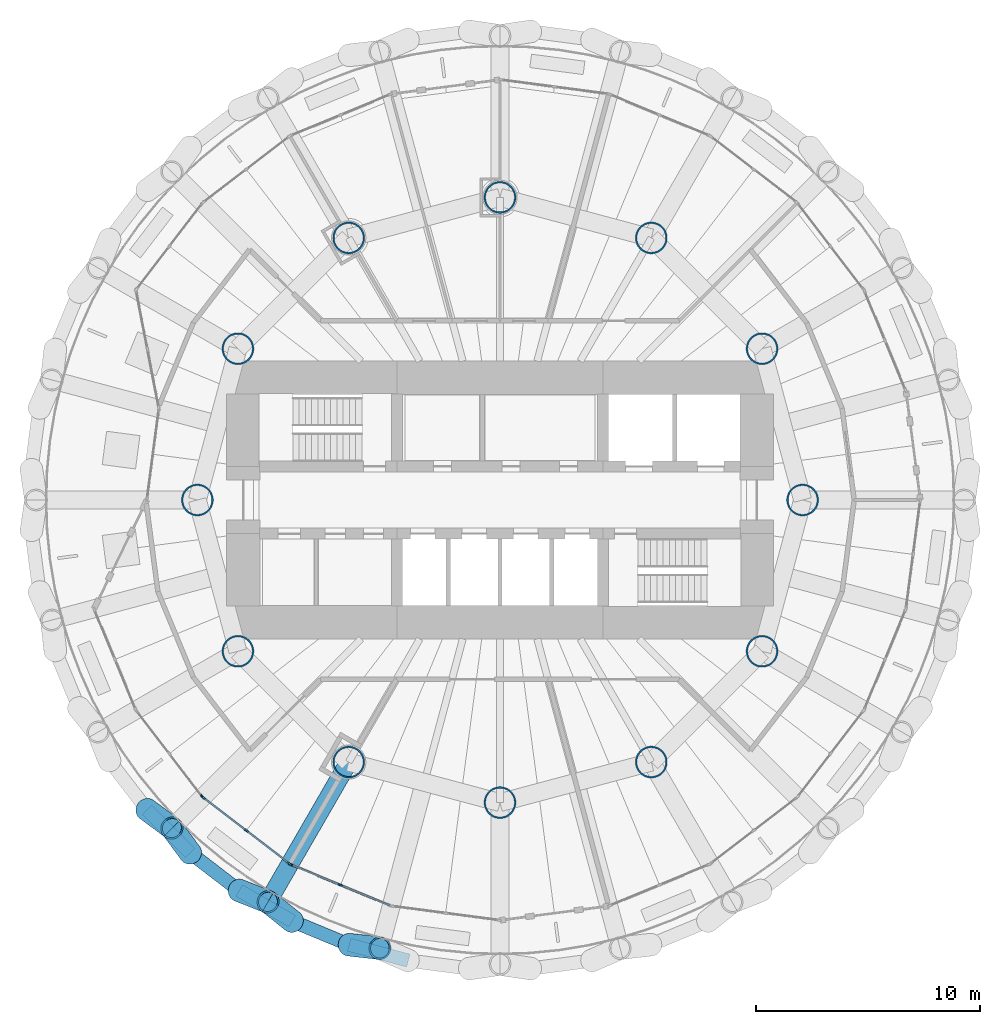
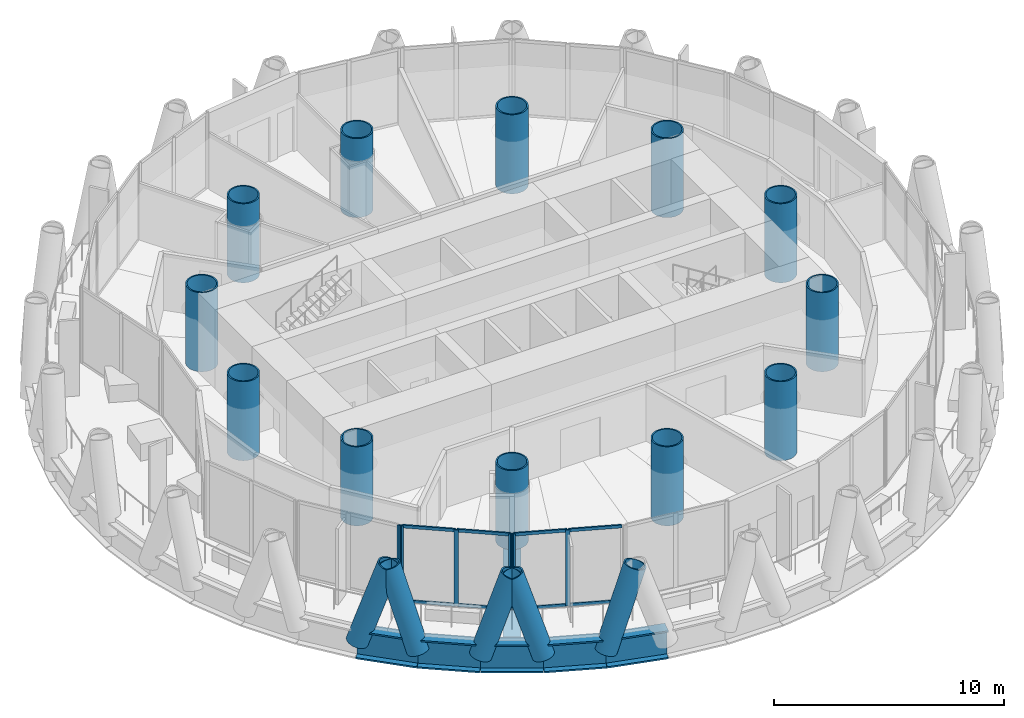
# One storey, part 1 of 15: 19 members, 12 columns, 6 beams, 3 elements without a shape of their own.
"""IFC4 building model written with IfcOpenShell, lengths in metres."""

from ifc_helpers import new_model, si_unit, direction, frame, origin, origin_2d, place, context, subcontext, project, spatial, rectangle, hollow_circle, i_section, extrude, material, material_profile, profile_set, type_object, element, aggregate, save


model = new_model("IFC4")

# Units and contexts
model_context = context("Model", 3, precision=1e-05, world=origin(), true_north=direction((0.0, 1.0)))
body_context = subcontext(model_context, "Body", "Model", "MODEL_VIEW")
ifc_project = project(units=[si_unit("LENGTHUNIT", "METRE"), si_unit("AREAUNIT", "SQUARE_METRE"), si_unit("VOLUMEUNIT", "CUBIC_METRE"), si_unit("PLANEANGLEUNIT", "RADIAN"), si_unit("MASSUNIT", "GRAM", prefix="KILO")], contexts=[model_context])

# Site, building, storey
site_placement = place(None, origin())
site = spatial("IfcSite", under=ifc_project, at=site_placement, CompositionType="ELEMENT")
building_placement = place(site_placement, origin())
building = spatial("IfcBuilding", under=site, at=building_placement, Name="Qaws Media Tower", CompositionType="ELEMENT")
storey_placement = place(building_placement, frame((0.0, 0.0, 273.800048828125)))
storey = spatial("IfcBuildingStorey", under=building, at=storey_placement, Name="L63", CompositionType="ELEMENT", Elevation=273.800048828125)

# Columns
ifc_material_1 = material(Name="Steel S460", Category="steel")
ifc_material_profile_1 = material_profile(ifc_material_1, hollow_circle(Radius=0.7109375, WallThickness=0.070068359375, at=origin_2d()), Name="CHS 1422x70")
ifc_profile_set_1 = profile_set([ifc_material_profile_1], Name="Steel S460")
column_type = type_object("IfcColumnType", Name="Inner column CHS 1422x70", PredefinedType="COLUMN", material=ifc_profile_set_1)
for number, where, z_axis, x_axis, name in (
    (1, (73.5, 50.0, 0.0), (0.0, 0.0, 1.0), (1.0, 0.0, 0.0), "C5 inner column I01 L63"),
    (2, (71.69140625, 56.75, 0.0), (0.0, 0.0, 1.0), (1.0, 0.0, 0.0), "C5 inner column I02 L63"),
    (3, (66.75, 61.69140625, 0.0), (0.0, 0.0, 1.0), (1.0, 0.0, 0.0), "C5 inner column I03 L63"),
    (4, (60.0, 63.5, 0.0), (0.0, 0.0, 1.0), (1.0, 0.0, 0.0), "C5 inner column I04 L63"),
    (5, (53.25, 61.69140625, 0.0), (0.0, 0.0, 1.0), (1.0, 0.0, 0.0), "C5 inner column I05 L63"),
    (6, (48.30859375, 56.75, 0.0), (0.0, 0.0, 1.0), (1.0, 0.0, 0.0), "C5 inner column I06 L63"),
    (7, (46.5, 50.0, 0.0), (0.0, 0.0, 1.0), (1.0, 0.0, 0.0), "C5 inner column I07 L63"),
    (8, (48.30859375, 43.25, 0.0), (0.0, 0.0, 1.0), (1.0, 0.0, 0.0), "C5 inner column I08 L63"),
    (9, (53.25, 38.30859375, 0.0), (0.0, 0.0, 1.0), (1.0, 0.0, 0.0), "C5 inner column I09 L63"),
    (10, (60.0, 36.5, 0.0), (0.0, 0.0, 1.0), (1.0, 0.0, 0.0), "C5 inner column I10 L63"),
    (11, (66.75, 38.30859375, 0.0), (0.0, 0.0, 1.0), (1.0, 0.0, 0.0), "C5 inner column I11 L63"),
    (12, (71.69140625, 43.25, 0.0), (0.0, 0.0, 1.0), (1.0, 0.0, 0.0), "C5 inner column I12 L63"),
):
    element("IfcColumn", number, at=place(storey_placement, frame(where, z_axis=z_axis, x_axis=x_axis)), inside=storey, type_object=column_type, Name=name, PredefinedType="COLUMN", context=body_context, shape_type="SweptSolid", body=[
        extrude(hollow_circle(Radius=0.7109375, WallThickness=0.070068359375, at=origin_2d()), origin(), (0.0, 0.0, 1.0), 4.199951171875),
    ])

# Curtain wall, member
ifc_material_2 = material(Name="Aluminium and clear glass", Category="aluminium")
curtain_wall_type = type_object("IfcCurtainWallType", Name="Unitised curtain wall CW-D", PredefinedType="NOTDEFINED", material=ifc_material_2)
curtain_wall_1_placement = place(storey_placement, origin())
curtain_wall_1 = element("IfcCurtainWall", 13, at=curtain_wall_1_placement, inside=storey, type_object=curtain_wall_type, Name="CWD curtain wall L63-15", PredefinedType="NOTDEFINED")
ifc_material_3 = material(Name="Aluminium mullion", Category="aluminium")
ifc_material_profile_2 = material_profile(ifc_material_3, rectangle(XDim=0.080078125, YDim=0.199951171875, at=origin_2d()), Name="80x200")
ifc_profile_set_2 = profile_set([ifc_material_profile_2], Name="Aluminium mullion")
member_type_1 = type_object("IfcMemberType", Name="Curtain wall mullion 80x200", PredefinedType="MULLION", material=ifc_profile_set_2)
member_1_placement = place(storey_placement, frame((46.71728515625, 36.7734375, 0.0), z_axis=(0.0, 0.0, 1.0), x_axis=(0.793353346284, 0.608761421199, 0.0)))
member_1 = element("IfcMember", 14, at=member_1_placement, type_object=member_type_1, Name="CWD mullion 3", PredefinedType="MULLION", context=body_context, shape_type="SweptSolid", body=[
    extrude(rectangle(XDim=0.080078125, YDim=0.199951171875, at=origin_2d()), origin(), (0.0, 0.0, 1.0), 4.0400390625),
])
aggregate(curtain_wall_1, [member_1])

# Curtain wall, members
curtain_wall_2_placement = place(storey_placement, origin())
curtain_wall_2 = element("IfcCurtainWall", 15, at=curtain_wall_2_placement, inside=storey, type_object=curtain_wall_type, Name="CWD curtain wall L63-16", PredefinedType="NOTDEFINED")
member_2_placement = place(storey_placement, frame((46.7734375, 36.71728515625, 0.0), z_axis=(0.0, 0.0, 1.0), x_axis=(0.608761421199, 0.793353346284, 0.0)))
member_2 = element("IfcMember", 16, at=member_2_placement, type_object=member_type_1, Name="CWD mullion 1", PredefinedType="MULLION", context=body_context, shape_type="SweptSolid", body=[
    extrude(rectangle(XDim=0.080078125, YDim=0.199951171875, at=origin_2d()), origin(), (0.0, 0.0, 1.0), 4.0400390625),
])
member_3_placement = place(storey_placement, frame((48.683349609375, 35.251953125, 0.0), z_axis=(0.0, 0.0, 1.0), x_axis=(0.608761421199, 0.793353346284, 0.0)))
member_3 = element("IfcMember", 17, at=member_3_placement, type_object=member_type_1, Name="CWD mullion 2", PredefinedType="MULLION", context=body_context, shape_type="SweptSolid", body=[
    extrude(rectangle(XDim=0.080078125, YDim=0.199951171875, at=origin_2d()), origin(), (0.0, 0.0, 1.0), 4.0400390625),
])
member_4_placement = place(storey_placement, frame((50.59326171875, 33.786376953125, 0.0), z_axis=(0.0, 0.0, 1.0), x_axis=(0.608761421199, 0.793353346284, 0.0)))
member_4 = element("IfcMember", 18, at=member_4_placement, type_object=member_type_1, Name="CWD mullion 3", PredefinedType="MULLION", context=body_context, shape_type="SweptSolid", body=[
    extrude(rectangle(XDim=0.080078125, YDim=0.199951171875, at=origin_2d()), origin(), (0.0, 0.0, 1.0), 4.0400390625),
])

curtain_wall_3_placement = place(storey_placement, origin())
curtain_wall_3 = element("IfcCurtainWall", 19, at=curtain_wall_3_placement, inside=storey, type_object=curtain_wall_type, Name="CWD curtain wall L63-17", PredefinedType="NOTDEFINED")
member_5_placement = place(storey_placement, frame((50.661865234375, 33.746826171875, 0.0), z_axis=(0.0, 0.0, 1.0), x_axis=(0.382683439057, 0.923879529739, 0.0)))
member_5 = element("IfcMember", 20, at=member_5_placement, type_object=member_type_1, Name="CWD mullion 1", PredefinedType="MULLION", context=body_context, shape_type="SweptSolid", body=[
    extrude(rectangle(XDim=0.080078125, YDim=0.199951171875, at=origin_2d()), origin(), (0.0, 0.0, 1.0), 4.0400390625),
])
member_6_placement = place(storey_placement, frame((52.885986328125, 32.825439453125, 0.0), z_axis=(0.0, 0.0, 1.0), x_axis=(0.382683439057, 0.923879529739, 0.0)))
member_6 = element("IfcMember", 21, at=member_6_placement, type_object=member_type_1, Name="CWD mullion 2", PredefinedType="MULLION", context=body_context, shape_type="SweptSolid", body=[
    extrude(rectangle(XDim=0.080078125, YDim=0.199951171875, at=origin_2d()), origin(), (0.0, 0.0, 1.0), 4.0400390625),
])

# Member
ifc_material_4 = material(Name="Aluminium transom", Category="aluminium")
ifc_material_profile_3 = material_profile(ifc_material_4, rectangle(XDim=0.080078125, YDim=0.159912109375, at=origin_2d()), Name="80x160")
ifc_profile_set_3 = profile_set([ifc_material_profile_3], Name="Aluminium transom")
member_type_2 = type_object("IfcMemberType", Name="Curtain wall transom 80x160", PredefinedType="USERDEFINED", material=ifc_profile_set_3)
member_7_placement = place(storey_placement, frame((46.80517578125, 36.693115234375, 0.0400390625), z_axis=(0.793317573344, -0.608808038567, 0.0), x_axis=(0.608808038567, 0.793317573344, 0.0)))
member_7 = element("IfcMember", 22, at=member_7_placement, type_object=member_type_2, Name="CWD transom 1.1", ObjectType="TRANSOM", PredefinedType="USERDEFINED", context=body_context, shape_type="SweptSolid", body=[
    extrude(rectangle(XDim=0.080078125, YDim=0.159912109375, at=origin_2d()), origin(), (0.0, 0.0, 1.0), 2.327392578125),
])

member_8_placement = place(storey_placement, frame((46.80517578125, 36.693115234375, 4.0), z_axis=(0.793317573344, -0.608808038567, 0.0), x_axis=(0.608808038567, 0.793317573344, 0.0)))
member_8 = element("IfcMember", 23, at=member_8_placement, type_object=member_type_2, Name="CWD transom 1.2", ObjectType="TRANSOM", PredefinedType="USERDEFINED", context=body_context, shape_type="SweptSolid", body=[
    extrude(rectangle(XDim=0.080078125, YDim=0.159912109375, at=origin_2d()), origin(), (0.0, 0.0, 1.0), 2.327392578125),
])

member_9_placement = place(storey_placement, frame((48.715087890625, 35.2275390625, 0.0400390625), z_axis=(0.79336823561, -0.60874201656, 0.0), x_axis=(0.60874201656, 0.79336823561, 0.0)))
member_9 = element("IfcMember", 24, at=member_9_placement, type_object=member_type_2, Name="CWD transom 2.1", ObjectType="TRANSOM", PredefinedType="USERDEFINED", context=body_context, shape_type="SweptSolid", body=[
    extrude(rectangle(XDim=0.080078125, YDim=0.159912109375, at=origin_2d()), origin(), (0.0, 0.0, 1.0), 2.327392578125),
])

member_10_placement = place(storey_placement, frame((48.715087890625, 35.2275390625, 4.0), z_axis=(0.79336823561, -0.60874201656, 0.0), x_axis=(0.60874201656, 0.79336823561, 0.0)))
member_10 = element("IfcMember", 25, at=member_10_placement, type_object=member_type_2, Name="CWD transom 2.2", ObjectType="TRANSOM", PredefinedType="USERDEFINED", context=body_context, shape_type="SweptSolid", body=[
    extrude(rectangle(XDim=0.080078125, YDim=0.159912109375, at=origin_2d()), origin(), (0.0, 0.0, 1.0), 2.327392578125),
])

aggregate(curtain_wall_2, [member_2, member_3, member_4, member_7, member_8, member_9, member_10])

member_11_placement = place(storey_placement, frame((50.698974609375, 33.7314453125, 0.0400390625), z_axis=(0.923878747853, -0.382685326691, 0.0), x_axis=(0.382685326691, 0.923878747853, 0.0)))
member_11 = element("IfcMember", 26, at=member_11_placement, type_object=member_type_2, Name="CWD transom 1.1", ObjectType="TRANSOM", PredefinedType="USERDEFINED", context=body_context, shape_type="SweptSolid", body=[
    extrude(rectangle(XDim=0.080078125, YDim=0.159912109375, at=origin_2d()), origin(), (0.0, 0.0, 1.0), 2.327392578125),
])

member_12_placement = place(storey_placement, frame((50.698974609375, 33.7314453125, 4.0), z_axis=(0.923878747853, -0.382685326691, 0.0), x_axis=(0.382685326691, 0.923878747853, 0.0)))
member_12 = element("IfcMember", 27, at=member_12_placement, type_object=member_type_2, Name="CWD transom 1.2", ObjectType="TRANSOM", PredefinedType="USERDEFINED", context=body_context, shape_type="SweptSolid", body=[
    extrude(rectangle(XDim=0.080078125, YDim=0.159912109375, at=origin_2d()), origin(), (0.0, 0.0, 1.0), 2.327392578125),
])

member_13_placement = place(storey_placement, frame((52.923095703125, 32.81005859375, 0.0400390625), z_axis=(0.923878747853, -0.382685326691, 0.0), x_axis=(0.382685326691, 0.923878747853, 0.0)))
member_13 = element("IfcMember", 28, at=member_13_placement, type_object=member_type_2, Name="CWD transom 2.1", ObjectType="TRANSOM", PredefinedType="USERDEFINED", context=body_context, shape_type="SweptSolid", body=[
    extrude(rectangle(XDim=0.080078125, YDim=0.159912109375, at=origin_2d()), origin(), (0.0, 0.0, 1.0), 2.327392578125),
])

member_14_placement = place(storey_placement, frame((52.923095703125, 32.81005859375, 4.0), z_axis=(0.923878747853, -0.382685326691, 0.0), x_axis=(0.382685326691, 0.923878747853, 0.0)))
member_14 = element("IfcMember", 29, at=member_14_placement, type_object=member_type_2, Name="CWD transom 2.2", ObjectType="TRANSOM", PredefinedType="USERDEFINED", context=body_context, shape_type="SweptSolid", body=[
    extrude(rectangle(XDim=0.080078125, YDim=0.159912109375, at=origin_2d()), origin(), (0.0, 0.0, 1.0), 2.327392578125),
])

aggregate(curtain_wall_3, [member_5, member_6, member_11, member_12, member_13, member_14])

# Members
ifc_material_5 = material(Name="Steel S460", Category="steel")
ifc_material_profile_4 = material_profile(ifc_material_5, hollow_circle(Radius=0.508056640625, WallThickness=0.070068359375, at=origin_2d()), Name="CHS 1016x70")
ifc_profile_set_4 = profile_set([ifc_material_profile_4], Name="Steel S460")
member_type_3 = type_object("IfcMemberType", Name="Diagrid member CHS 1016x70", PredefinedType="USERDEFINED", material=ifc_profile_set_4)
for number, where, z_axis, x_axis, name in (
    (30, (44.2490234375, 36.186767578125, -0.91015625), (0.251825189458, -0.186302063661, 0.949671319473), (0.594742798102, 0.803916042946, 0.0), "DG3 diagrid L63 A15"),
    (31, (48.36083984375, 32.580810546875, -0.91015625), (0.291460040217, -0.114762390835, 0.949673964372), (0.366371962483, 0.930468476148, 0.0), "DG3 diagrid L63 A16"),
    (32, (46.186767578125, 34.2490234375, -0.91015625), (-0.186302063661, 0.251825189458, 0.949671319473), (-0.803916042946, -0.594742798102, 0.0), "DG3 diagrid L63 B16"),
    (33, (53.265869140625, 30.161865234375, -0.91015625), (0.311223201998, -0.035383836907, 0.949677894143), (0.112965046989, 0.993598962438, 0.0), "DG3 diagrid L63 A17"),
    (34, (50.734130859375, 31.21044921875, -0.91015625), (-0.24514249136, 0.195076236088, 0.949658054798), (-0.622673161344, -0.782482034389, 0.0), "DG3 diagrid L63 B17"),
):
    element("IfcMember", number, at=place(storey_placement, frame(where, z_axis=z_axis, x_axis=x_axis)), inside=storey, type_object=member_type_3, Name=name, ObjectType="DIAGRID", PredefinedType="USERDEFINED", context=body_context, shape_type="SweptSolid", body=[
        extrude(hollow_circle(Radius=0.508056640625, WallThickness=0.070068359375, at=origin_2d()), origin(), (0.0, 0.0, 1.0), 4.4228515625),
    ])

# Beams
ifc_material_6 = material(Name="Steel S460", Category="steel")
ifc_material_profile_5 = material_profile(ifc_material_6, i_section(OverallWidth=0.60009765625, OverallDepth=1.5, WebThickness=0.030029296875, FlangeThickness=0.080078125, at=origin_2d()), Name="PG 1500x600")
ifc_profile_set_5 = profile_set([ifc_material_profile_5], Name="Steel S460")
beam_type_1 = type_object("IfcBeamType", Name="Edge ring beam PG 1500x600", PredefinedType="BEAM", material=ifc_profile_set_5)
beam_1_placement = place(storey_placement, frame((44.2490234375, 36.186767578125, -0.91015625), z_axis=(0.707106781187, -0.707106781187, 0.0), x_axis=(0.707106781187, 0.707106781187, 0.0)))
element("IfcBeam", 35, at=beam_1_placement, inside=storey, type_object=beam_type_1, Name="RB5 edge ring beam L63-30", PredefinedType="BEAM", context=body_context, shape_type="SweptSolid", body=[
    extrude(i_section(OverallWidth=0.60009765625, OverallDepth=1.5, WebThickness=0.030029296875, FlangeThickness=0.080078125, at=origin_2d()), origin(), (0.0, 0.0, 1.0), 2.740478515625),
])
beam_2_placement = place(storey_placement, frame((46.186767578125, 34.2490234375, -0.91015625), z_axis=(0.793355355184, -0.608758803141, 0.0), x_axis=(0.608758803141, 0.793355355184, 0.0)))
element("IfcBeam", 36, at=beam_2_placement, inside=storey, type_object=beam_type_1, Name="RB5 edge ring beam L63-31", PredefinedType="BEAM", context=body_context, shape_type="SweptSolid", body=[
    extrude(i_section(OverallWidth=0.60009765625, OverallDepth=1.5, WebThickness=0.030029296875, FlangeThickness=0.080078125, at=origin_2d()), origin(), (0.0, 0.0, 1.0), 2.740234375),
])
beam_3_placement = place(storey_placement, frame((48.36083984375, 32.580810546875, -0.91015625), z_axis=(0.866003105128, -0.500038620418, 0.0), x_axis=(0.500038620418, 0.866003105128, 0.0)))
element("IfcBeam", 37, at=beam_3_placement, inside=storey, type_object=beam_type_1, Name="RB5 edge ring beam L63-32", PredefinedType="BEAM", context=body_context, shape_type="SweptSolid", body=[
    extrude(i_section(OverallWidth=0.60009765625, OverallDepth=1.5, WebThickness=0.030029296875, FlangeThickness=0.080078125, at=origin_2d()), origin(), (0.0, 0.0, 1.0), 2.740478515625),
])
for number, where, z_axis, x_axis, name in (
    (38, (50.734130859375, 31.21044921875, -0.91015625), (0.923891962865, -0.382653421457, 0.0), (0.382653421457, 0.923891962865, 0.0), "RB5 edge ring beam L63-33"),
    (39, (53.265869140625, 30.161865234375, -0.91015625), (0.965928168112, -0.258810305143, 0.0), (0.258810305143, 0.965928168112, 0.0), "RB5 edge ring beam L63-34"),
):
    element("IfcBeam", number, at=place(storey_placement, frame(where, z_axis=z_axis, x_axis=x_axis)), inside=storey, type_object=beam_type_1, Name=name, PredefinedType="BEAM", context=body_context, shape_type="SweptSolid", body=[
        extrude(i_section(OverallWidth=0.60009765625, OverallDepth=1.5, WebThickness=0.030029296875, FlangeThickness=0.080078125, at=origin_2d()), origin(), (0.0, 0.0, 1.0), 2.740234375),
    ])
ifc_material_7 = material(Name="Steel S460", Category="steel")
ifc_material_profile_6 = material_profile(ifc_material_7, i_section(OverallWidth=0.800048828125, OverallDepth=1.0, WebThickness=0.0400390625, FlangeThickness=0.10009765625, at=origin_2d()), Name="PG 1000x800")
ifc_profile_set_6 = profile_set([ifc_material_profile_6], Name="Steel S460")
beam_type_2 = type_object("IfcBeamType", Name="Radial girder PG 1000x800", PredefinedType="BEAM", material=ifc_profile_set_6)
beam_4_placement = place(storey_placement, frame((53.25, 38.30859375, -0.66015625), z_axis=(-0.500004033612, -0.866023074965, 0.0), x_axis=(0.866023074965, -0.500004033612, 0.0)))
element("IfcBeam", 40, at=beam_4_placement, inside=storey, type_object=beam_type_2, Name="B1 radial beam L63 17", PredefinedType="BEAM", context=body_context, shape_type="SweptSolid", body=[
    extrude(i_section(OverallWidth=0.800048828125, OverallDepth=1.0, WebThickness=0.0400390625, FlangeThickness=0.10009765625, at=origin_2d()), origin(), (0.0, 0.0, 1.0), 7.4052734375),
])

save(model, "model.ifc")
